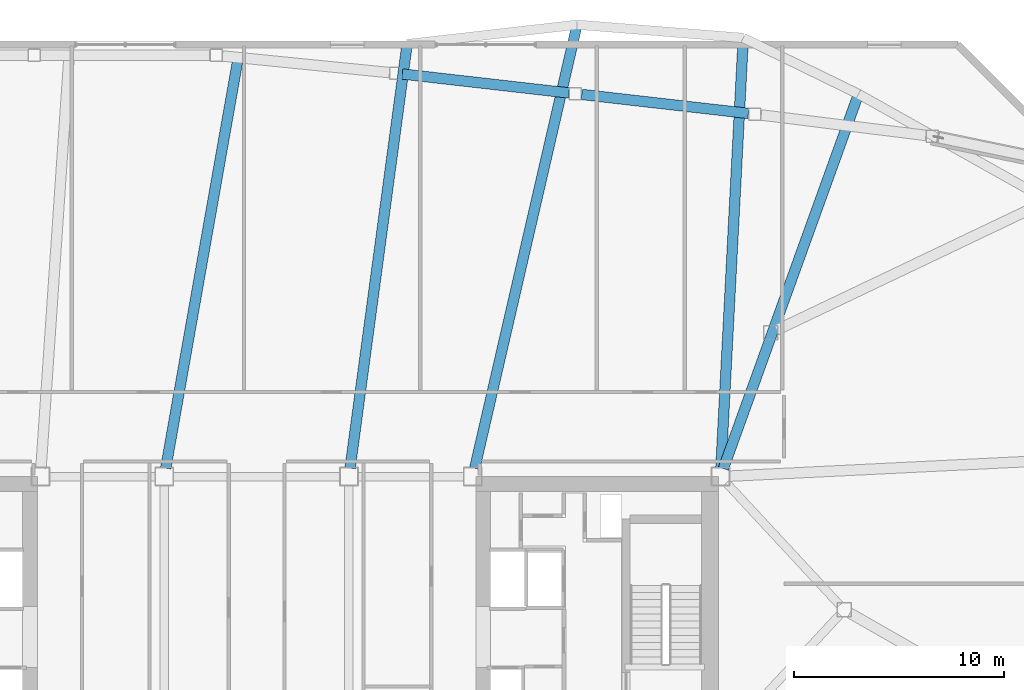
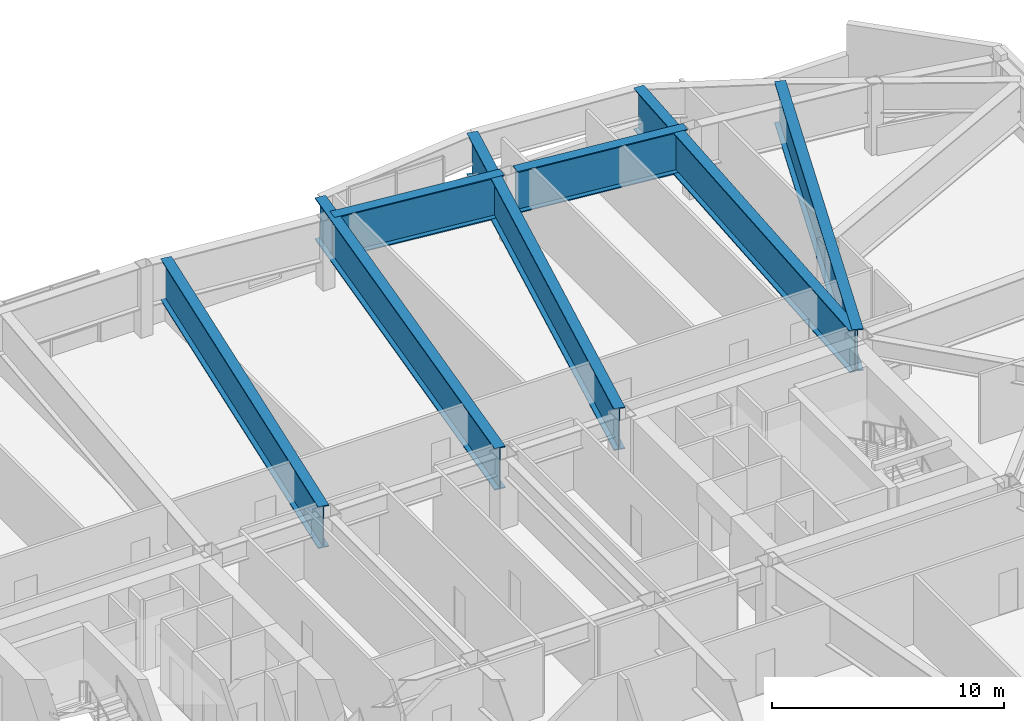
# One storey, part 9 of 19: 7 beams.
"""IFC4 building model written with IfcOpenShell, lengths in metres."""

from ifc_helpers import new_model, si_unit, direction, frame, origin, origin_2d, place, context, subcontext, project, spatial, i_section, extrude, material, material_profile, profile_set, type_object, element, save


model = new_model("IFC4")

# Units and contexts
model_context = context("Model", 3, precision=1e-05, world=origin(), true_north=direction((0.0, 1.0)))
body_context = subcontext(model_context, "Body", "Model", "MODEL_VIEW")
ifc_project = project(units=[si_unit("LENGTHUNIT", "METRE"), si_unit("AREAUNIT", "SQUARE_METRE"), si_unit("VOLUMEUNIT", "CUBIC_METRE"), si_unit("PLANEANGLEUNIT", "RADIAN"), si_unit("MASSUNIT", "GRAM", prefix="KILO")], contexts=[model_context])

# Site, building, storey
site_placement = place(None, origin())
site = spatial("IfcSite", under=ifc_project, at=site_placement, CompositionType="ELEMENT")
building_placement = place(site_placement, origin())
building = spatial("IfcBuilding", under=site, at=building_placement, Name="Tavrogorsk Clinical Tower", CompositionType="ELEMENT")
storey_placement = place(building_placement, frame((0.0, 0.0, 204.199951171875)))
storey = spatial("IfcBuildingStorey", under=building, at=storey_placement, Name="L47", CompositionType="ELEMENT", Elevation=204.199951171875)

# Beams
ifc_material = material(Name="Structural steel S440", Category="steel")
ifc_material_profile = material_profile(ifc_material, i_section(OverallWidth=0.5, OverallDepth=2.199951171875, WebThickness=0.035888671875, FlangeThickness=0.054931640625, at=origin_2d()), Name="DK-2200x500x36x55")
ifc_profile_set = profile_set([ifc_material_profile], Name="Structural steel S440")
beam_type = type_object("IfcBeamType", Name="TransferGirder_DK2200", PredefinedType="USERDEFINED", material=ifc_profile_set)
beam_1_placement = place(storey_placement, frame((23.431884765625, 23.652587890625, 2.580078125), z_axis=(-0.993569841398, 0.113220891465, 0.0), x_axis=(-0.113220891465, -0.993569841398, 0.0)))
element("IfcBeam", 1, at=beam_1_placement, inside=storey, type_object=beam_type, Name="L47 Perimeter Spandrel N2-N3", ObjectType="GIRDER", PredefinedType="USERDEFINED", context=body_context, shape_type="SweptSolid", body=[
    extrude(i_section(OverallWidth=0.5, OverallDepth=2.199951171875, WebThickness=0.035888671875, FlangeThickness=0.054931640625, at=origin_2d()), origin(), (0.0, 0.0, 1.0), 7.9912109375),
])
beam_2_placement = place(storey_placement, frame((14.8798828125, 24.626953125, 2.580078125), z_axis=(-0.993569449752, 0.113224328304, 0.0), x_axis=(-0.113224328304, -0.993569449752, 0.0)))
element("IfcBeam", 2, at=beam_2_placement, inside=storey, type_object=beam_type, Name="L47 Perimeter Spandrel N3-N4", ObjectType="GIRDER", PredefinedType="USERDEFINED", context=body_context, shape_type="SweptSolid", body=[
    extrude(i_section(OverallWidth=0.5, OverallDepth=2.199951171875, WebThickness=0.035888671875, FlangeThickness=0.054931640625, at=origin_2d()), origin(), (0.0, 0.0, 1.0), 7.990966796875),
])
beam_3_placement = place(storey_placement, frame((22.121337890625, 6.759521484375, 2.580078125), z_axis=(0.051988734306, 0.998647671356, 0.0), x_axis=(-0.998647671356, 0.051988734306, 0.0)))
element("IfcBeam", 3, at=beam_3_placement, inside=storey, type_object=beam_type, Name="L48 Block Transfer Girder N1", ObjectType="GIRDER", PredefinedType="USERDEFINED", context=body_context, shape_type="SweptSolid", body=[
    extrude(i_section(OverallWidth=0.5, OverallDepth=2.199951171875, WebThickness=0.035888671875, FlangeThickness=0.054931640625, at=origin_2d()), origin(), (0.0, 0.0, 1.0), 20.521728515625),
])
beam_4_placement = place(storey_placement, frame((10.39208984375, 6.74951171875, 2.580078125), z_axis=(0.224866906601, 0.974389487995, 0.0), x_axis=(-0.974389487995, 0.224866906601, 0.0)))
element("IfcBeam", 4, at=beam_4_placement, inside=storey, type_object=beam_type, Name="L48 Block Transfer Girder N2", ObjectType="GIRDER", PredefinedType="USERDEFINED", context=body_context, shape_type="SweptSolid", body=[
    extrude(i_section(OverallWidth=0.5, OverallDepth=2.199951171875, WebThickness=0.035888671875, FlangeThickness=0.054931640625, at=origin_2d()), origin(), (0.0, 0.0, 1.0), 21.68603515625),
])
beam_5_placement = place(storey_placement, frame((4.45458984375, 6.75634765625, 2.580078125), z_axis=(0.133334185877, 0.991071135124, 0.0), x_axis=(-0.991071135124, 0.133334185877, 0.0)))
element("IfcBeam", 5, at=beam_5_placement, inside=storey, type_object=beam_type, Name="L48 Block Transfer Girder N3", ObjectType="GIRDER", PredefinedType="USERDEFINED", context=body_context, shape_type="SweptSolid", body=[
    extrude(i_section(OverallWidth=0.5, OverallDepth=2.199951171875, WebThickness=0.035888671875, FlangeThickness=0.054931640625, at=origin_2d()), origin(), (0.0, 0.0, 1.0), 20.383056640625),
])
beam_6_placement = place(storey_placement, frame((-4.32861328125, 6.753662109375, 2.580078125), z_axis=(0.173890506033, 0.98476499324, 0.0), x_axis=(-0.98476499324, 0.173890506033, 0.0)))
element("IfcBeam", 6, at=beam_6_placement, inside=storey, type_object=beam_type, Name="L48 Block Transfer Girder N4", ObjectType="GIRDER", PredefinedType="USERDEFINED", context=body_context, shape_type="SweptSolid", body=[
    extrude(i_section(OverallWidth=0.5, OverallDepth=2.199951171875, WebThickness=0.035888671875, FlangeThickness=0.054931640625, at=origin_2d()), origin(), (0.0, 0.0, 1.0), 19.86376953125),
])
beam_7_placement = place(storey_placement, frame((22.2392578125, 6.735595703125, 2.580078125), z_axis=(0.339429052306, 0.940631659286, 0.0), x_axis=(-0.940631659286, 0.339429052306, 0.0)))
element("IfcBeam", 7, at=beam_7_placement, inside=storey, type_object=beam_type, Name="L48 Block Transfer Girder E5", ObjectType="GIRDER", PredefinedType="USERDEFINED", context=body_context, shape_type="SweptSolid", body=[
    extrude(i_section(OverallWidth=0.5, OverallDepth=2.199951171875, WebThickness=0.035888671875, FlangeThickness=0.054931640625, at=origin_2d()), origin(), (0.0, 0.0, 1.0), 18.967041015625),
])

save(model, "model.ifc")
